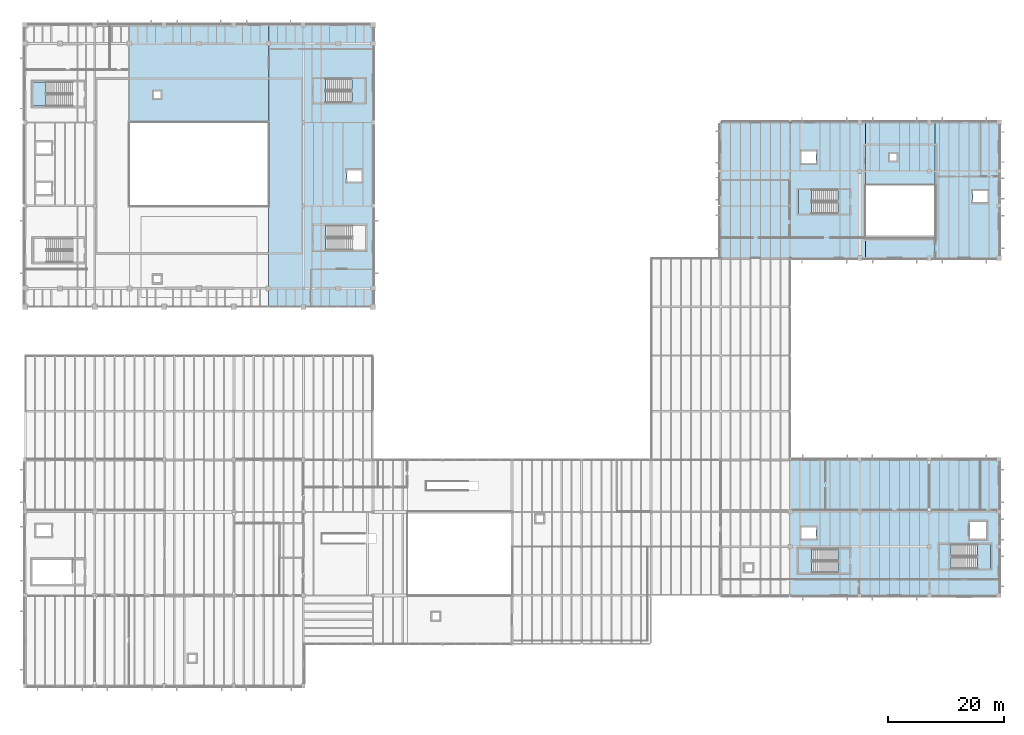
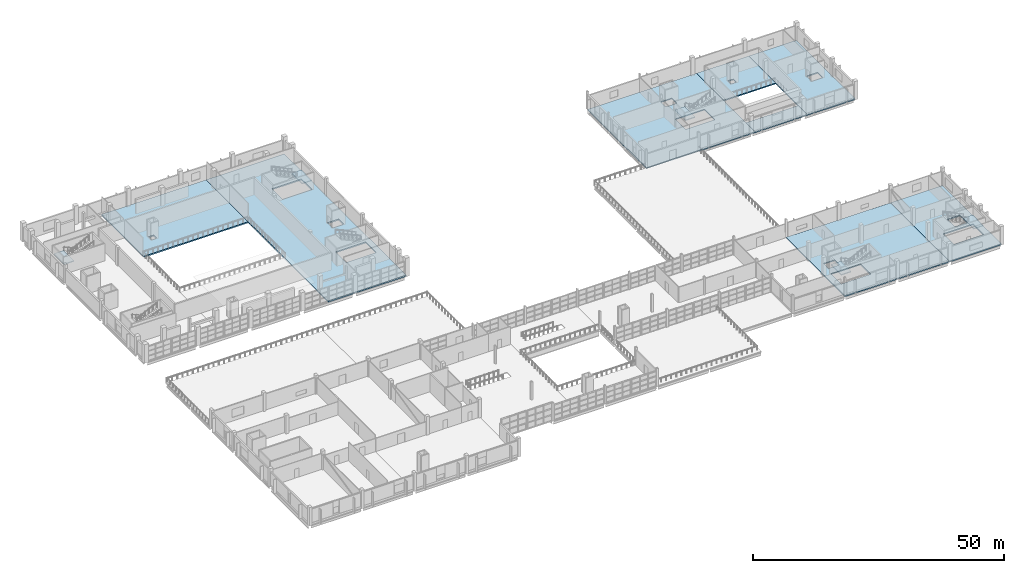
# One storey, part 52 of 78: 13 slabs, 5 elements without a shape of their own.
"""IFC4 building model written with IfcOpenShell, lengths in metres."""

from ifc_helpers import new_model, si_unit, direction, frame, origin, place, context, subcontext, project, spatial, polyline, outline, extrude, material, layer, layer_set, type_object, element, aggregate, save


model = new_model("IFC4")

# Units and contexts
model_context = context("Model", 3, precision=1e-05, world=origin(), true_north=direction((0.0, 1.0)))
body_context = subcontext(model_context, "Body", "Model", "MODEL_VIEW")
ifc_project = project(units=[si_unit("LENGTHUNIT", "METRE"), si_unit("AREAUNIT", "SQUARE_METRE"), si_unit("VOLUMEUNIT", "CUBIC_METRE"), si_unit("PLANEANGLEUNIT", "RADIAN"), si_unit("MASSUNIT", "GRAM", prefix="KILO")], contexts=[model_context])

# Site, building, storey
site_placement = place(None, origin())
site = spatial("IfcSite", under=ifc_project, at=site_placement, CompositionType="ELEMENT")
building_placement = place(site_placement, origin())
building = spatial("IfcBuilding", under=site, at=building_placement, Name="Kelmvaro Bay Concert Hall", CompositionType="ELEMENT")
storey_placement = place(building_placement, frame((0.0, 0.0, 9.300048828125)))
storey = spatial("IfcBuildingStorey", under=building, at=storey_placement, Name="L02", CompositionType="ELEMENT", Elevation=9.300048828125)

# Slabs
ifc_material_1 = material(Name="Concrete C40/50", Category="concrete")
ifc_layer_1 = layer(ifc_material_1, 0.300048828125)
ifc_layer_set_1 = layer_set([ifc_layer_1], Name="Concrete C40/50")
slab_type_1 = type_object("IfcSlabType", Name="Auditorium Tier Structural Slab 300", PredefinedType="FLOOR", material=ifc_layer_set_1)
slab_1_placement = place(storey_placement, frame((0.0, 0.0, -0.300048828125)))
element("IfcSlab", 1, at=slab_1_placement, inside=storey, type_object=slab_type_1, Name="L02 Structural Slab V1-N", PredefinedType="FLOOR", context=body_context, shape_type="SweptSolid", body=[
    extrude(outline(polyline([(18.0, 97.199951171875), (42.0, 97.199951171875), (42.0, 114.0), (18.0, 114.0), (18.0, 97.199951171875)]), holes=[polyline([(22.199951171875, 101.39990234375), (23.39990234375, 101.39990234375), (23.39990234375, 102.60009765625), (22.199951171875, 102.60009765625), (22.199951171875, 101.39990234375)])]), origin(), (0.0, 0.0, 1.0), 0.300048828125),
])
slab_2_placement = place(storey_placement, frame((0.0, 0.0, -0.300048828125)))
element("IfcSlab", 2, at=slab_2_placement, inside=storey, type_object=slab_type_1, Name="L02 Structural Slab V1-E", PredefinedType="FLOOR", context=body_context, shape_type="SweptSolid", body=[
    extrude(outline(polyline([(42.0, 65.39990234375), (60.0, 65.39990234375), (60.0, 114.0), (42.0, 114.0), (42.0, 65.39990234375)]), holes=[polyline([(51.800537109375, 100.6005859375), (58.599365234375, 100.6005859375), (58.599365234375, 104.74951171875), (51.800537109375, 104.74951171875), (51.800537109375, 100.6005859375)]), polyline([(51.8505859375, 75.20068359375), (58.74951171875, 75.20068359375), (58.74951171875, 79.449462890625), (51.8505859375, 79.449462890625), (51.8505859375, 75.20068359375)]), polyline([(55.52490234375, 87.0), (58.074951171875, 87.0), (58.074951171875, 89.0), (55.52490234375, 89.0), (55.52490234375, 87.0)])]), origin(), (0.0, 0.0, 1.0), 0.300048828125),
])

# Stair, slab
ifc_material_2 = material(Name="Concrete C40/50", Category="concrete")
stair_type_1 = type_object("IfcStairType", Name="Core Dogleg Exit Stair 2000", PredefinedType="USERDEFINED", material=ifc_material_2)
stair_1_placement = place(storey_placement, origin())
stair_1 = element("IfcStair", 3, at=stair_1_placement, inside=storey, type_object=stair_type_1, Name="L02 Exit Stair ST-02", ObjectType="TWO_RETURN_STAIR", PredefinedType="USERDEFINED")
ifc_material_3 = material(Name="Concrete C40/50", Category="concrete")
ifc_layer_2 = layer(ifc_material_3, 0.199951171875)
ifc_layer_set_2 = layer_set([ifc_layer_2], Name="Concrete C40/50")
slab_type_2 = type_object("IfcSlabType", Name="Core Stair Half-Landing Slab 200", PredefinedType="LANDING", material=ifc_layer_set_2)
slab_3_placement = place(storey_placement, frame((0.0, 0.0, 2.050048828125)))
slab_3 = element("IfcSlab", 4, at=slab_3_placement, type_object=slab_type_2, Name="ST-02 landing 1", PredefinedType="LANDING", context=body_context, shape_type="SweptSolid", body=[
    extrude(outline(polyline([(56.35009765625, 100.60009765625), (58.60009765625, 100.60009765625), (58.60009765625, 104.75), (56.35009765625, 104.75), (56.35009765625, 100.60009765625)])), origin(), (0.0, 0.0, 1.0), 0.199951171875),
])
aggregate(stair_1, [slab_3])

ifc_material_4 = material(Name="Concrete C40/50", Category="concrete")
stair_type_2 = type_object("IfcStairType", Name="Core Dogleg Exit Stair 2020", PredefinedType="USERDEFINED", material=ifc_material_4)
stair_2_placement = place(storey_placement, origin())
stair_2 = element("IfcStair", 5, at=stair_2_placement, inside=storey, type_object=stair_type_2, Name="L02 Exit Stair ST-03", ObjectType="TWO_RETURN_STAIR", PredefinedType="USERDEFINED")
slab_4_placement = place(storey_placement, frame((0.0, 0.0, 2.050048828125)))
slab_4 = element("IfcSlab", 6, at=slab_4_placement, type_object=slab_type_2, Name="ST-03 landing 1", PredefinedType="LANDING", context=body_context, shape_type="SweptSolid", body=[
    extrude(outline(polyline([(3.60400390625, 104.199951171875), (1.35009765625, 104.199951171875), (1.35009765625, 100.010009765625), (3.60400390625, 100.010009765625), (3.60400390625, 104.199951171875)])), origin(), (0.0, 0.0, 1.0), 0.199951171875),
])
aggregate(stair_2, [slab_4])

ifc_material_5 = material(Name="Concrete C40/50", Category="concrete")
stair_type_3 = type_object("IfcStairType", Name="Core Dogleg Exit Stair 1980", PredefinedType="USERDEFINED", material=ifc_material_5)
stair_3_placement = place(storey_placement, origin())
stair_3 = element("IfcStair", 7, at=stair_3_placement, inside=storey, type_object=stair_type_3, Name="L02 Exit Stair ST-05", ObjectType="TWO_RETURN_STAIR", PredefinedType="USERDEFINED")
slab_5_placement = place(storey_placement, frame((0.0, 0.0, 2.050048828125)))
slab_5 = element("IfcSlab", 8, at=slab_5_placement, type_object=slab_type_2, Name="ST-05 landing 1", PredefinedType="LANDING", context=body_context, shape_type="SweptSolid", body=[
    extrude(outline(polyline([(135.696044921875, 23.60009765625), (133.449951171875, 23.60009765625), (133.449951171875, 19.489990234375), (135.696044921875, 19.489990234375), (135.696044921875, 23.60009765625)])), origin(), (0.0, 0.0, 1.0), 0.199951171875),
])
aggregate(stair_3, [slab_5])

stair_4_placement = place(storey_placement, origin())
stair_4 = element("IfcStair", 9, at=stair_4_placement, inside=storey, type_object=stair_type_1, Name="L02 Exit Stair ST-06", ObjectType="TWO_RETURN_STAIR", PredefinedType="USERDEFINED")
slab_6_placement = place(storey_placement, frame((0.0, 0.0, 2.050048828125)))
slab_6 = element("IfcSlab", 10, at=slab_6_placement, type_object=slab_type_2, Name="ST-06 landing 1", PredefinedType="LANDING", context=body_context, shape_type="SweptSolid", body=[
    extrude(outline(polyline([(164.2958984375, 20.199951171875), (166.550048828125, 20.199951171875), (166.550048828125, 24.389892578125), (164.2958984375, 24.389892578125), (164.2958984375, 20.199951171875)])), origin(), (0.0, 0.0, 1.0), 0.199951171875),
])
aggregate(stair_4, [slab_6])

stair_5_placement = place(storey_placement, origin())
stair_5 = element("IfcStair", 11, at=stair_5_placement, inside=storey, type_object=stair_type_2, Name="L02 Exit Stair ST-07", ObjectType="TWO_RETURN_STAIR", PredefinedType="USERDEFINED")
slab_7_placement = place(storey_placement, frame((0.0, 0.0, 2.050048828125)))
slab_7 = element("IfcSlab", 12, at=slab_7_placement, type_object=slab_type_2, Name="ST-07 landing 1", PredefinedType="LANDING", context=body_context, shape_type="SweptSolid", body=[
    extrude(outline(polyline([(135.64990234375, 85.60009765625), (133.39990234375, 85.60009765625), (133.39990234375, 81.449951171875), (135.64990234375, 81.449951171875), (135.64990234375, 85.60009765625)])), origin(), (0.0, 0.0, 1.0), 0.199951171875),
])
aggregate(stair_5, [slab_7])

# Slabs
ifc_material_6 = material(Name="Concrete C40/50", Category="concrete")
ifc_layer_3 = layer(ifc_material_6, 0.260009765625)
ifc_layer_set_3 = layer_set([ifc_layer_3], Name="Concrete C40/50")
slab_type_3 = type_object("IfcSlabType", Name="Recording Box Floor Slab 260", PredefinedType="FLOOR", material=ifc_layer_set_3)
slab_8_placement = place(storey_placement, frame((0.0, 0.0, -0.260009765625)))
element("IfcSlab", 13, at=slab_8_placement, inside=storey, type_object=slab_type_3, Name="L02 Structural Slab V2-W", PredefinedType="FLOOR", context=body_context, shape_type="SweptSolid", body=[
    extrude(outline(polyline([(120.0, 73.800048828125), (145.0, 73.800048828125), (145.0, 97.199951171875), (120.0, 97.199951171875), (120.0, 73.800048828125)]), holes=[polyline([(133.400634765625, 81.45068359375), (140.199462890625, 81.45068359375), (140.199462890625, 85.599365234375), (133.400634765625, 85.599365234375), (133.400634765625, 81.45068359375)]), polyline([(133.925048828125, 90.199951171875), (136.47509765625, 90.199951171875), (136.47509765625, 92.199951171875), (133.925048828125, 92.199951171875), (133.925048828125, 90.199951171875)])]), origin(), (0.0, 0.0, 1.0), 0.260009765625),
])
slab_9_placement = place(storey_placement, frame((0.0, 0.0, -0.260009765625)))
element("IfcSlab", 14, at=slab_9_placement, inside=storey, type_object=slab_type_3, Name="L02 Structural Slab V2-S", PredefinedType="FLOOR", context=body_context, shape_type="SweptSolid", body=[
    extrude(outline(polyline([(145.0, 73.800048828125), (157.0, 73.800048828125), (157.0, 77.39990234375), (145.0, 77.39990234375), (145.0, 73.800048828125)])), origin(), (0.0, 0.0, 1.0), 0.260009765625),
])
slab_10_placement = place(storey_placement, frame((0.0, 0.0, -0.260009765625)))
element("IfcSlab", 15, at=slab_10_placement, inside=storey, type_object=slab_type_3, Name="L02 Structural Slab V2-N", PredefinedType="FLOOR", context=body_context, shape_type="SweptSolid", body=[
    extrude(outline(polyline([(145.0, 86.39990234375), (157.0, 86.39990234375), (157.0, 97.199951171875), (145.0, 97.199951171875), (145.0, 86.39990234375)]), holes=[polyline([(149.199951171875, 90.60009765625), (150.39990234375, 90.60009765625), (150.39990234375, 91.800048828125), (149.199951171875, 91.800048828125), (149.199951171875, 90.60009765625)])]), origin(), (0.0, 0.0, 1.0), 0.260009765625),
])
slab_11_placement = place(storey_placement, frame((0.0, 0.0, -0.260009765625)))
element("IfcSlab", 16, at=slab_11_placement, inside=storey, type_object=slab_type_3, Name="L02 Structural Slab V2-E", PredefinedType="FLOOR", context=body_context, shape_type="SweptSolid", body=[
    extrude(outline(polyline([(157.0, 73.800048828125), (168.0, 73.800048828125), (168.0, 97.199951171875), (157.0, 97.199951171875), (157.0, 73.800048828125)]), holes=[polyline([(163.52490234375, 83.39990234375), (166.074951171875, 83.39990234375), (166.074951171875, 85.39990234375), (163.52490234375, 85.39990234375), (163.52490234375, 83.39990234375)])]), origin(), (0.0, 0.0, 1.0), 0.260009765625),
])
ifc_material_7 = material(Name="Concrete C40/50", Category="concrete")
ifc_layer_4 = layer(ifc_material_7, 0.280029296875)
ifc_layer_set_4 = layer_set([ifc_layer_4], Name="Concrete C40/50")
slab_type_4 = type_object("IfcSlabType", Name="Rehearsal Hall Floor Slab 280", PredefinedType="FLOOR", material=ifc_layer_set_4)
slab_12_placement = place(storey_placement, frame((0.0, 0.0, -0.280029296875)))
element("IfcSlab", 17, at=slab_12_placement, inside=storey, type_object=slab_type_4, Name="L02 Structural Slab V4-A", PredefinedType="FLOOR", context=body_context, shape_type="SweptSolid", body=[
    extrude(outline(polyline([(132.0, 15.60009765625), (156.0, 15.60009765625), (156.0, 39.0), (132.0, 39.0), (132.0, 15.60009765625)]), holes=[polyline([(133.45068359375, 19.490478515625), (140.219482421875, 19.490478515625), (140.219482421875, 23.599365234375), (133.45068359375, 23.599365234375), (133.45068359375, 19.490478515625)]), polyline([(133.925048828125, 25.39990234375), (136.47509765625, 25.39990234375), (136.47509765625, 27.39990234375), (133.925048828125, 27.39990234375), (133.925048828125, 25.39990234375)])]), origin(), (0.0, 0.0, 1.0), 0.280029296875),
])
slab_13_placement = place(storey_placement, frame((0.0, 0.0, -0.280029296875)))
element("IfcSlab", 18, at=slab_13_placement, inside=storey, type_object=slab_type_4, Name="L02 Structural Slab V4-B", PredefinedType="FLOOR", context=body_context, shape_type="SweptSolid", body=[
    extrude(outline(polyline([(156.0, 15.60009765625), (168.0, 15.60009765625), (168.0, 39.0), (156.0, 39.0), (156.0, 15.60009765625)]), holes=[polyline([(159.720703125, 20.20068359375), (166.54931640625, 20.20068359375), (166.54931640625, 24.389404296875), (159.720703125, 24.389404296875), (159.720703125, 20.20068359375)]), polyline([(162.949951171875, 25.35009765625), (165.85009765625, 25.35009765625), (165.85009765625, 28.35009765625), (162.949951171875, 28.35009765625), (162.949951171875, 25.35009765625)])]), origin(), (0.0, 0.0, 1.0), 0.280029296875),
])

save(model, "model.ifc")
